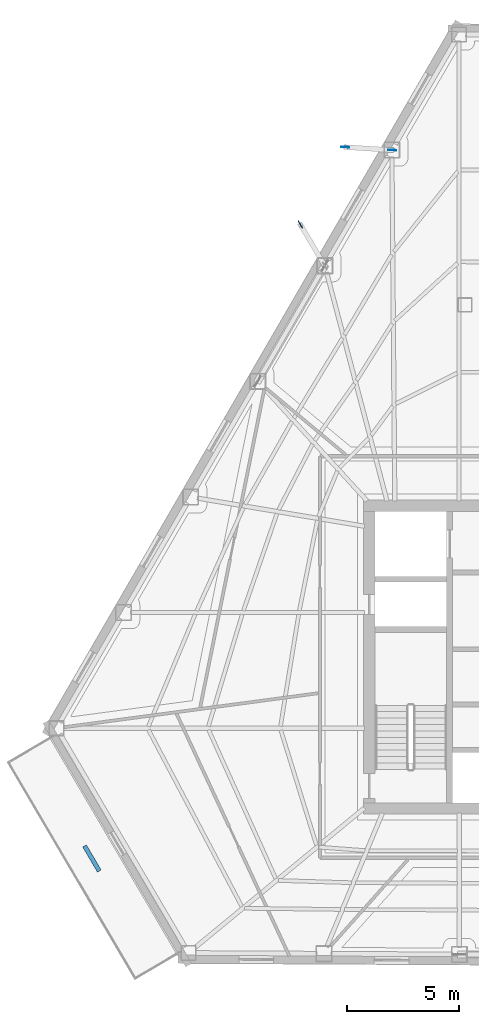
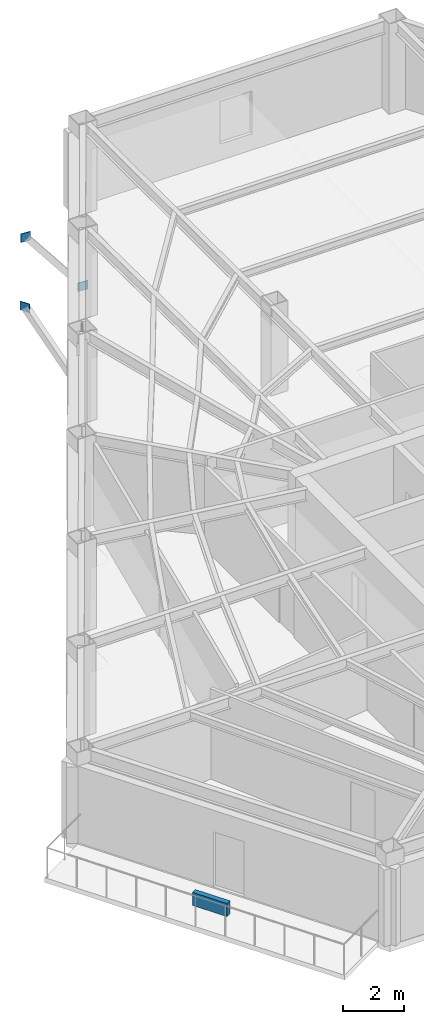
# One storey, part 6 of 13: 3 plates, 1 wall.
"""IFC4 building model written with IfcOpenShell, lengths in metres."""

import ifcopenshell
import ifcopenshell.guid

model = None  # the IFC model being written
_history = None  # IfcOwnerHistory: only IFC2X3 demands one
_inside = {}  # id of a spatial element -> (the spatial element, [elements in it])
_under = {}  # id of a project, library or spatial element -> (it, [spatial elements below it])
_declared = {}  # id of a project -> (the project, [libraries it declares])
_typed = {}  # id of a type object -> (the type object, [elements of that type])
_made_of = {}  # id of a material, layer set ... -> (it, [elements and type objects made of it])


def new_model(schema):
    """Start an empty IFC model of exactly this schema.

    Asked for "IFC4X3", IfcOpenShell would pick the latest addendum, in which some entities
    have other attributes; the version numbers below select the first issue.
    IFC2X3 requires an IfcOwnerHistory on every rooted entity: one is made here for all.
    """
    global model, _history
    if schema == "IFC4X3":
        model = ifcopenshell.file(schema_version=(4, 3, 0, 0))
    else:
        model = ifcopenshell.file(schema=schema)
    _inside.clear()
    _under.clear()
    _declared.clear()
    _typed.clear()
    _made_of.clear()
    _history = None
    if model.schema == "IFC2X3":
        org = make("IfcOrganization", Name="unknown")
        user = make(
            "IfcPersonAndOrganization",
            ThePerson=make("IfcPerson", FamilyName="unknown"),
            TheOrganization=org,
        )
        app = make(
            "IfcApplication",
            ApplicationDeveloper=org,
            Version="unknown",
            ApplicationFullName="unknown",
            ApplicationIdentifier="unknown",
        )
        _history = make(
            "IfcOwnerHistory",
            OwningUser=user,
            OwningApplication=app,
            ChangeAction="ADDED",
            CreationDate=0,
        )
    return model


def make(cls, **values):
    """One entity of the class cls with the attributes given. An attribute that is None is left unset."""
    return model.create_entity(
        cls, **{name: value for name, value in values.items() if value is not None}
    )


def rooted(cls, **values):
    """An entity with a GlobalId (a new one), such as an element, a storey or a relation."""
    return make(cls, GlobalId=ifcopenshell.guid.new(), OwnerHistory=_history, **values)


def si_unit(unit_type, name, prefix=None):
    """IfcSIUnit, for example si_unit("LENGTHUNIT", "METRE", prefix="MILLI")."""
    return make("IfcSIUnit", UnitType=unit_type, Prefix=prefix, Name=name)


def assignment(units):
    """IfcUnitAssignment: the units of a project."""
    return None if units is None else make("IfcUnitAssignment", Units=units)


def point(xyz):
    """IfcCartesianPoint."""
    return None if xyz is None else make("IfcCartesianPoint", Coordinates=xyz)


def direction(xyz):
    """IfcDirection."""
    return None if xyz is None else make("IfcDirection", DirectionRatios=xyz)


def frame(location, z_axis=None, x_axis=None):
    """IfcAxis2Placement3D, a coordinate frame: its origin and axes. An axis left out is left unset."""
    return make(
        "IfcAxis2Placement3D",
        Location=point(location),
        Axis=direction(z_axis),
        RefDirection=direction(x_axis),
    )


def frame_2d(location, x_axis=None):
    """IfcAxis2Placement2D, a coordinate frame in the plane: its origin and x axis."""
    return make(
        "IfcAxis2Placement2D", Location=point(location), RefDirection=direction(x_axis)
    )


def origin():
    """The frame at (0, 0, 0) with its axes left unset."""
    return frame((0.0, 0.0, 0.0))


def origin_2d():
    """The frame at (0, 0) in the plane with its x axis left unset."""
    return frame_2d((0.0, 0.0))


def place(relative_to, where):
    """IfcLocalPlacement: puts the frame where relative to a parent placement (None: the world)."""
    return make(
        "IfcLocalPlacement", PlacementRelTo=relative_to, RelativePlacement=where
    )


def context(
    kind, dimensions, precision=None, world=None, true_north=None, identifier=None
):
    """IfcGeometricRepresentationContext, for example the 3D "Model" context."""
    return make(
        "IfcGeometricRepresentationContext",
        ContextIdentifier=identifier,
        ContextType=kind,
        CoordinateSpaceDimension=dimensions,
        Precision=precision,
        WorldCoordinateSystem=world,
        TrueNorth=true_north,
    )


def subcontext(parent, identifier, kind, view, scale=None):
    """IfcGeometricRepresentationSubContext, for example "Body" below "Model"."""
    return make(
        "IfcGeometricRepresentationSubContext",
        ContextIdentifier=identifier,
        ContextType=kind,
        ParentContext=parent,
        TargetScale=scale,
        TargetView=view,
    )


def project(units=None, contexts=None):
    """IfcProject with its units and contexts."""
    return rooted(
        "IfcProject",
        Name="project",
        RepresentationContexts=contexts,
        UnitsInContext=assignment(units),
    )


def spatial(cls, under=None, at=None, **own):
    """A site, building, storey or space (cls), placed at a placement, below another one or the project."""
    s = rooted(cls, ObjectPlacement=at, **own)
    if under is not None:
        _under.setdefault(under.id(), (under, []))[1].append(s)
    return s


def profile(cls, at=None, kind="AREA", **sizes):
    """A parametric profile (cls). Its sizes go by their IFC names, for example OverallWidth=200.0."""
    return make(cls, ProfileType=kind, Position=at, **sizes)


def rectangle(**sizes):
    """IfcRectangleProfileDef."""
    return profile("IfcRectangleProfileDef", **sizes)


def extrude(swept, where, along, depth):
    """IfcExtrudedAreaSolid: the profile swept, set in the frame where, extruded along a direction by depth."""
    return make(
        "IfcExtrudedAreaSolid",
        SweptArea=swept,
        Position=where,
        ExtrudedDirection=direction(along),
        Depth=depth,
    )


def shape(context_of_items, identifier, shape_type, items):
    """IfcShapeRepresentation: the items that make up one representation, for example the "Body"."""
    return make(
        "IfcShapeRepresentation",
        ContextOfItems=context_of_items,
        RepresentationIdentifier=identifier,
        RepresentationType=shape_type,
        Items=items,
    )


def material(Name=None, Category=None):
    """IfcMaterial."""
    return make("IfcMaterial", Name=Name, Category=Category)


def layer(
    of_material, thickness, ventilated=None, Name=None, Category=None, Priority=None
):
    """IfcMaterialLayer: one layer of a wall or slab, of a material (None: an air gap)."""
    return make(
        "IfcMaterialLayer",
        Material=of_material,
        LayerThickness=thickness,
        IsVentilated=ventilated,
        Name=Name,
        Category=Category,
        Priority=Priority,
    )


def layer_set(layers, Name=None):
    """IfcMaterialLayerSet."""
    return make("IfcMaterialLayerSet", MaterialLayers=layers, LayerSetName=Name)


def made_of(thing, what):
    """Note that an element or type object is made of a material, layer set ...; save() writes the relation."""
    if what is not None:
        _made_of.setdefault(what.id(), (what, []))[1].append(thing)
    return thing


def type_object(cls, material=None, **own):
    """A type object (cls), such as IfcWallType, which elements share."""
    return made_of(rooted(cls, **own), material)


def element(
    cls,
    number,
    at=None,
    inside=None,
    cuts=None,
    type_object=None,
    material=None,
    context=None,
    identifier="Body",
    shape_type=None,
    held_by="IfcProductDefinitionShape",
    body=None,
    shapes=None,
    **own,
):
    """One element of the class cls, such as IfcWall. Its Tag is "e" and its number.

    at: its placement. inside: the storey or other place that contains it. cuts: it is an
    opening in that element (IfcRelVoidsElement). A single representation is given by context,
    identifier, shape_type and body (its items); several are given by shapes. held_by: the class
    of the entity that holds the representations. save() writes the other relations.
    """
    e = rooted(cls, Tag="e%d" % number, ObjectPlacement=at, **own)
    if body is not None:
        shapes = [shape(context, identifier, shape_type, body)]
    if shapes is not None:
        e.Representation = make(held_by, Representations=shapes)
    if inside is not None:
        _inside.setdefault(inside.id(), (inside, []))[1].append(e)
    if cuts is not None:
        rooted(
            "IfcRelVoidsElement", RelatingBuildingElement=cuts, RelatedOpeningElement=e
        )
    if type_object is not None:
        _typed.setdefault(type_object.id(), (type_object, []))[1].append(e)
    return made_of(e, material)


def aggregate(whole, parts):
    """IfcRelAggregates: a whole, such as a stair, and the parts it consists of."""
    return rooted("IfcRelAggregates", RelatingObject=whole, RelatedObjects=parts)


def save(model, path):
    """Write the relations noted so far, then the file.

    IfcRelAggregates (storeys below a building ...), IfcRelContainedInSpatialStructure (elements
    in a storey), IfcRelDefinesByType, IfcRelAssociatesMaterial and IfcRelDeclares: one each for
    every whole, place, type object, material and project.
    """
    for whole, parts in _under.values():
        aggregate(whole, parts)
    for where, things in _inside.values():
        rooted(
            "IfcRelContainedInSpatialStructure",
            RelatedElements=things,
            RelatingStructure=where,
        )
    for kind, things in _typed.values():
        rooted("IfcRelDefinesByType", RelatedObjects=things, RelatingType=kind)
    for what, things in _made_of.values():
        rooted("IfcRelAssociatesMaterial", RelatedObjects=things, RelatingMaterial=what)
    for by, libraries in _declared.values():
        rooted("IfcRelDeclares", RelatingContext=by, RelatedDefinitions=libraries)
    model.write(path)


model = new_model("IFC4")

# Units and contexts
model_context = context("Model", 3, precision=1e-05, world=origin(), true_north=direction((0.0, 1.0)))
body_context = subcontext(model_context, "Body", "Model", "MODEL_VIEW")
ifc_project = project(units=[si_unit("LENGTHUNIT", "METRE"), si_unit("AREAUNIT", "SQUARE_METRE"), si_unit("VOLUMEUNIT", "CUBIC_METRE"), si_unit("PLANEANGLEUNIT", "RADIAN"), si_unit("MASSUNIT", "GRAM", prefix="KILO")], contexts=[model_context])

# Site, building, storey
site_placement = place(None, origin())
site = spatial("IfcSite", under=ifc_project, at=site_placement, CompositionType="ELEMENT")
building_placement = place(site_placement, origin())
building = spatial("IfcBuilding", under=site, at=building_placement, Name="Kavelnor Concourse Tower", CompositionType="ELEMENT")
storey_placement = place(building_placement, frame((0.0, 0.0, 124.0)))
storey = spatial("IfcBuildingStorey", under=building, at=storey_placement, Name="L31", CompositionType="ELEMENT", Elevation=124.0)

# Plates
ifc_material_1 = material(Name="Steel Grade 350", Category="steel")
ifc_layer_1 = layer(ifc_material_1, 0.028076171875, Name="Steel Grade 350")
ifc_layer_set_1 = layer_set([ifc_layer_1], Name="Steel Grade 350")
plate_type = type_object("IfcPlateType", Name="PL-GUSSET-FOLD", PredefinedType="USERDEFINED", material=ifc_layer_set_1)
for number, where, z_axis, x_axis, name in (
    (1, (29.248291015625, 38.698974609375, 0.8798828125), (0.0, 0.0, 1.0), (-0.997993714583, 0.063313076471, 0.0), "L31 Balcony Strut Gusset GP4 2-A End Gusset A"),
    (2, (27.16748046875, 38.8310546875, 3.48486328125), (0.0, 0.0, 1.0), (-0.997993714583, 0.063313076471, 0.0), "L31 Balcony Strut Gusset GP4 2-A End Gusset B"),
    (3, (25.1572265625, 35.385986328125, 3.48486328125), (0.0, 0.0, 1.0), (-0.509642202947, 0.860386439326, 0.0), "L31 Balcony Strut Gusset GP4 2-B End Gusset B"),
):
    element("IfcPlate", number, at=place(storey_placement, frame(where, z_axis=z_axis, x_axis=x_axis)), inside=storey, type_object=plate_type, Name=name, ObjectType="GUSSET_PLATE", PredefinedType="USERDEFINED", context=body_context, shape_type="SweptSolid", body=[
        extrude(rectangle(XDim=0.360107421875, YDim=0.028076171875, at=origin_2d()), origin(), (0.0, 0.0, 1.0), 0.340087890625),
    ])

# Wall
ifc_material_2 = material(Name="Architectural precast planter concrete C40/50", Category="concrete")
ifc_layer_2 = layer(ifc_material_2, 0.18994140625, Name="Architectural precast planter concrete C40/50")
ifc_layer_set_2 = layer_set([ifc_layer_2], Name="Architectural precast planter concrete C40/50")
wall_type = type_object("IfcWallType", Name="WL-PLANTER-KERB-190", PredefinedType="USERDEFINED", material=ifc_layer_set_2)
wall_placement = place(storey_placement, frame((15.53759765625, 7.683349609375, 0.0), z_axis=(0.0, 0.0, 1.0), x_axis=(0.506379735558, -0.862310595677, 0.0)))
element("IfcWall", 4, at=wall_placement, inside=storey, type_object=wall_type, Name="L31 Spiral Terrace Landscaped Planter Kerb", ObjectType="PLANTER", PredefinedType="USERDEFINED", context=body_context, shape_type="SweptSolid", body=[
    extrude(rectangle(XDim=1.2998046875, YDim=0.18994140625, at=frame_2d((0.64990234375, 0.0))), origin(), (0.0, 0.0, 1.0), 0.52001953125),
])

save(model, "model.ifc")
